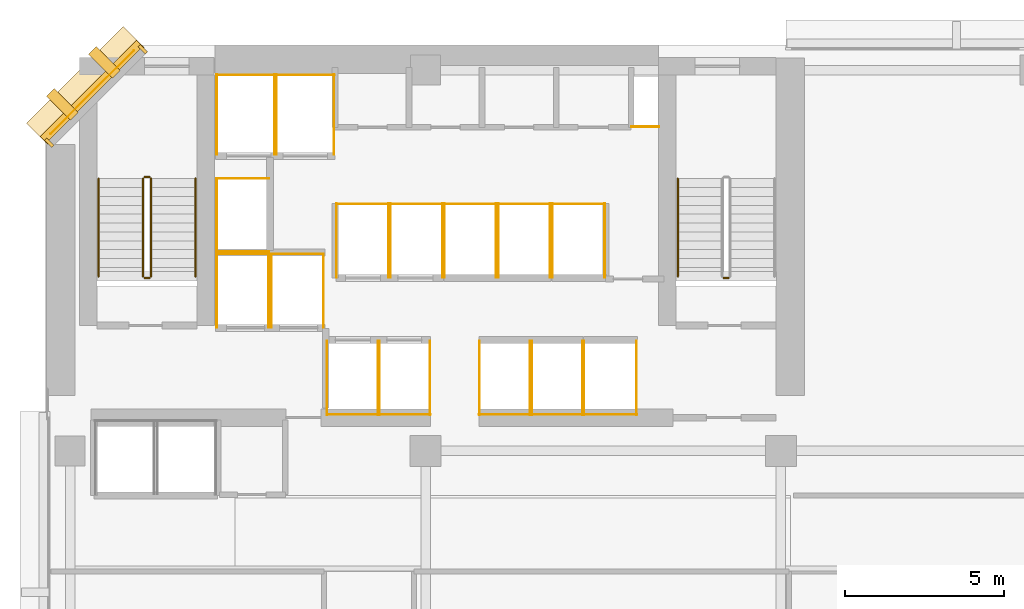
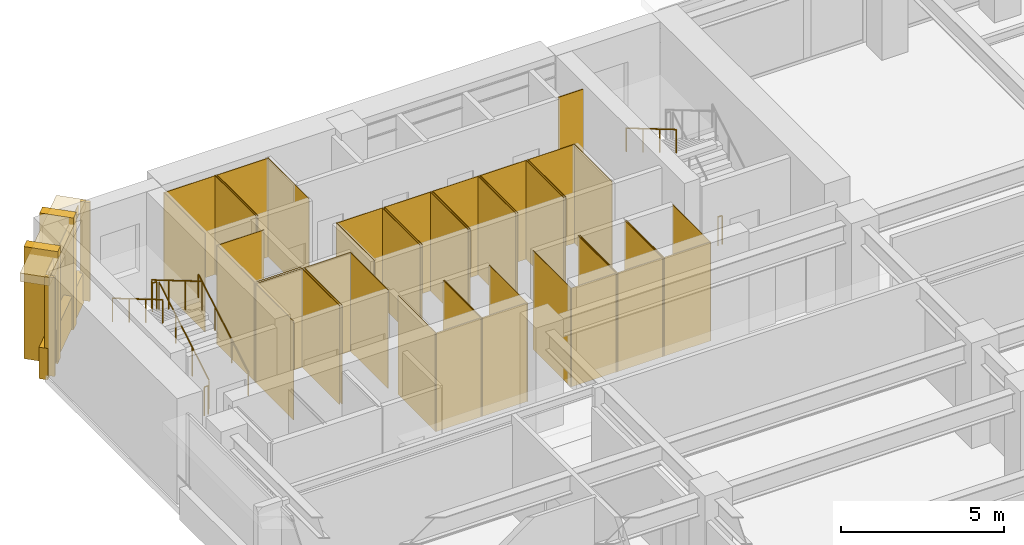
# One storey, part 11 of 13: 53 coverings, 8 railings.
"""IFC4 building model written with IfcOpenShell, lengths in metres."""

import ifcopenshell
import ifcopenshell.guid

model = None  # the IFC model being written
_history = None  # IfcOwnerHistory: only IFC2X3 demands one
_inside = {}  # id of a spatial element -> (the spatial element, [elements in it])
_under = {}  # id of a project, library or spatial element -> (it, [spatial elements below it])
_declared = {}  # id of a project -> (the project, [libraries it declares])
_typed = {}  # id of a type object -> (the type object, [elements of that type])
_made_of = {}  # id of a material, layer set ... -> (it, [elements and type objects made of it])


def new_model(schema):
    """Start an empty IFC model of exactly this schema.

    Asked for "IFC4X3", IfcOpenShell would pick the latest addendum, in which some entities
    have other attributes; the version numbers below select the first issue.
    IFC2X3 requires an IfcOwnerHistory on every rooted entity: one is made here for all.
    """
    global model, _history
    if schema == "IFC4X3":
        model = ifcopenshell.file(schema_version=(4, 3, 0, 0))
    else:
        model = ifcopenshell.file(schema=schema)
    _inside.clear()
    _under.clear()
    _declared.clear()
    _typed.clear()
    _made_of.clear()
    _history = None
    if model.schema == "IFC2X3":
        org = make("IfcOrganization", Name="unknown")
        user = make(
            "IfcPersonAndOrganization",
            ThePerson=make("IfcPerson", FamilyName="unknown"),
            TheOrganization=org,
        )
        app = make(
            "IfcApplication",
            ApplicationDeveloper=org,
            Version="unknown",
            ApplicationFullName="unknown",
            ApplicationIdentifier="unknown",
        )
        _history = make(
            "IfcOwnerHistory",
            OwningUser=user,
            OwningApplication=app,
            ChangeAction="ADDED",
            CreationDate=0,
        )
    return model


def make(cls, **values):
    """One entity of the class cls with the attributes given. An attribute that is None is left unset."""
    return model.create_entity(
        cls, **{name: value for name, value in values.items() if value is not None}
    )


def rooted(cls, **values):
    """An entity with a GlobalId (a new one), such as an element, a storey or a relation."""
    return make(cls, GlobalId=ifcopenshell.guid.new(), OwnerHistory=_history, **values)


def si_unit(unit_type, name, prefix=None):
    """IfcSIUnit, for example si_unit("LENGTHUNIT", "METRE", prefix="MILLI")."""
    return make("IfcSIUnit", UnitType=unit_type, Prefix=prefix, Name=name)


def assignment(units):
    """IfcUnitAssignment: the units of a project."""
    return None if units is None else make("IfcUnitAssignment", Units=units)


def point(xyz):
    """IfcCartesianPoint."""
    return None if xyz is None else make("IfcCartesianPoint", Coordinates=xyz)


def direction(xyz):
    """IfcDirection."""
    return None if xyz is None else make("IfcDirection", DirectionRatios=xyz)


def frame(location, z_axis=None, x_axis=None):
    """IfcAxis2Placement3D, a coordinate frame: its origin and axes. An axis left out is left unset."""
    return make(
        "IfcAxis2Placement3D",
        Location=point(location),
        Axis=direction(z_axis),
        RefDirection=direction(x_axis),
    )


def frame_2d(location, x_axis=None):
    """IfcAxis2Placement2D, a coordinate frame in the plane: its origin and x axis."""
    return make(
        "IfcAxis2Placement2D", Location=point(location), RefDirection=direction(x_axis)
    )


def origin():
    """The frame at (0, 0, 0) with its axes left unset."""
    return frame((0.0, 0.0, 0.0))


def origin_2d():
    """The frame at (0, 0) in the plane with its x axis left unset."""
    return frame_2d((0.0, 0.0))


def place(relative_to, where):
    """IfcLocalPlacement: puts the frame where relative to a parent placement (None: the world)."""
    return make(
        "IfcLocalPlacement", PlacementRelTo=relative_to, RelativePlacement=where
    )


def context(
    kind, dimensions, precision=None, world=None, true_north=None, identifier=None
):
    """IfcGeometricRepresentationContext, for example the 3D "Model" context."""
    return make(
        "IfcGeometricRepresentationContext",
        ContextIdentifier=identifier,
        ContextType=kind,
        CoordinateSpaceDimension=dimensions,
        Precision=precision,
        WorldCoordinateSystem=world,
        TrueNorth=true_north,
    )


def subcontext(parent, identifier, kind, view, scale=None):
    """IfcGeometricRepresentationSubContext, for example "Body" below "Model"."""
    return make(
        "IfcGeometricRepresentationSubContext",
        ContextIdentifier=identifier,
        ContextType=kind,
        ParentContext=parent,
        TargetScale=scale,
        TargetView=view,
    )


def project(units=None, contexts=None):
    """IfcProject with its units and contexts."""
    return rooted(
        "IfcProject",
        Name="project",
        RepresentationContexts=contexts,
        UnitsInContext=assignment(units),
    )


def spatial(cls, under=None, at=None, **own):
    """A site, building, storey or space (cls), placed at a placement, below another one or the project."""
    s = rooted(cls, ObjectPlacement=at, **own)
    if under is not None:
        _under.setdefault(under.id(), (under, []))[1].append(s)
    return s


def polyline(points):
    """IfcPolyline through the points."""
    return make("IfcPolyline", Points=[point(p) for p in points])


def profile(cls, at=None, kind="AREA", **sizes):
    """A parametric profile (cls). Its sizes go by their IFC names, for example OverallWidth=200.0."""
    return make(cls, ProfileType=kind, Position=at, **sizes)


def rectangle(**sizes):
    """IfcRectangleProfileDef."""
    return profile("IfcRectangleProfileDef", **sizes)


def circle(**sizes):
    """IfcCircleProfileDef."""
    return profile("IfcCircleProfileDef", **sizes)


def outline(outer, holes=None, kind="AREA"):
    """IfcArbitraryClosedProfileDef: a profile drawn as a closed curve; with holes, ...WithVoids."""
    if holes is None:
        return make("IfcArbitraryClosedProfileDef", ProfileType=kind, OuterCurve=outer)
    return make(
        "IfcArbitraryProfileDefWithVoids",
        ProfileType=kind,
        OuterCurve=outer,
        InnerCurves=holes,
    )


def extrude(swept, where, along, depth):
    """IfcExtrudedAreaSolid: the profile swept, set in the frame where, extruded along a direction by depth."""
    return make(
        "IfcExtrudedAreaSolid",
        SweptArea=swept,
        Position=where,
        ExtrudedDirection=direction(along),
        Depth=depth,
    )


def shape(context_of_items, identifier, shape_type, items):
    """IfcShapeRepresentation: the items that make up one representation, for example the "Body"."""
    return make(
        "IfcShapeRepresentation",
        ContextOfItems=context_of_items,
        RepresentationIdentifier=identifier,
        RepresentationType=shape_type,
        Items=items,
    )


def material(Name=None, Category=None):
    """IfcMaterial."""
    return make("IfcMaterial", Name=Name, Category=Category)


def layer(
    of_material, thickness, ventilated=None, Name=None, Category=None, Priority=None
):
    """IfcMaterialLayer: one layer of a wall or slab, of a material (None: an air gap)."""
    return make(
        "IfcMaterialLayer",
        Material=of_material,
        LayerThickness=thickness,
        IsVentilated=ventilated,
        Name=Name,
        Category=Category,
        Priority=Priority,
    )


def layer_set(layers, Name=None):
    """IfcMaterialLayerSet."""
    return make("IfcMaterialLayerSet", MaterialLayers=layers, LayerSetName=Name)


def made_of(thing, what):
    """Note that an element or type object is made of a material, layer set ...; save() writes the relation."""
    if what is not None:
        _made_of.setdefault(what.id(), (what, []))[1].append(thing)
    return thing


def type_object(cls, material=None, **own):
    """A type object (cls), such as IfcWallType, which elements share."""
    return made_of(rooted(cls, **own), material)


def element(
    cls,
    number,
    at=None,
    inside=None,
    cuts=None,
    type_object=None,
    material=None,
    context=None,
    identifier="Body",
    shape_type=None,
    held_by="IfcProductDefinitionShape",
    body=None,
    shapes=None,
    **own,
):
    """One element of the class cls, such as IfcWall. Its Tag is "e" and its number.

    at: its placement. inside: the storey or other place that contains it. cuts: it is an
    opening in that element (IfcRelVoidsElement). A single representation is given by context,
    identifier, shape_type and body (its items); several are given by shapes. held_by: the class
    of the entity that holds the representations. save() writes the other relations.
    """
    e = rooted(cls, Tag="e%d" % number, ObjectPlacement=at, **own)
    if body is not None:
        shapes = [shape(context, identifier, shape_type, body)]
    if shapes is not None:
        e.Representation = make(held_by, Representations=shapes)
    if inside is not None:
        _inside.setdefault(inside.id(), (inside, []))[1].append(e)
    if cuts is not None:
        rooted(
            "IfcRelVoidsElement", RelatingBuildingElement=cuts, RelatedOpeningElement=e
        )
    if type_object is not None:
        _typed.setdefault(type_object.id(), (type_object, []))[1].append(e)
    return made_of(e, material)


def aggregate(whole, parts):
    """IfcRelAggregates: a whole, such as a stair, and the parts it consists of."""
    return rooted("IfcRelAggregates", RelatingObject=whole, RelatedObjects=parts)


def save(model, path):
    """Write the relations noted so far, then the file.

    IfcRelAggregates (storeys below a building ...), IfcRelContainedInSpatialStructure (elements
    in a storey), IfcRelDefinesByType, IfcRelAssociatesMaterial and IfcRelDeclares: one each for
    every whole, place, type object, material and project.
    """
    for whole, parts in _under.values():
        aggregate(whole, parts)
    for where, things in _inside.values():
        rooted(
            "IfcRelContainedInSpatialStructure",
            RelatedElements=things,
            RelatingStructure=where,
        )
    for kind, things in _typed.values():
        rooted("IfcRelDefinesByType", RelatedObjects=things, RelatingType=kind)
    for what, things in _made_of.values():
        rooted("IfcRelAssociatesMaterial", RelatedObjects=things, RelatingMaterial=what)
    for by, libraries in _declared.values():
        rooted("IfcRelDeclares", RelatingContext=by, RelatedDefinitions=libraries)
    model.write(path)


model = new_model("IFC4")

# Units and contexts
model_context = context("Model", 3, precision=1e-05, world=origin(), true_north=direction((0.0, 1.0)))
body_context = subcontext(model_context, "Body", "Model", "MODEL_VIEW")
ifc_project = project(units=[si_unit("LENGTHUNIT", "METRE"), si_unit("AREAUNIT", "SQUARE_METRE"), si_unit("VOLUMEUNIT", "CUBIC_METRE"), si_unit("PLANEANGLEUNIT", "RADIAN"), si_unit("MASSUNIT", "GRAM", prefix="KILO")], contexts=[model_context])

# Site, building, storey
site_placement = place(None, origin())
site = spatial("IfcSite", under=ifc_project, at=site_placement, CompositionType="ELEMENT")
building_placement = place(site_placement, origin())
building = spatial("IfcBuilding", under=site, at=building_placement, Name="Kefirva Bronze Tower", CompositionType="ELEMENT")
storey_placement = place(building_placement, frame((0.0, 0.0, 102.6298828125)))
storey = spatial("IfcBuildingStorey", under=building, at=storey_placement, Name="L24", CompositionType="ELEMENT", Elevation=102.6298828125)

# Coverings
ifc_material_1 = material(Name="Bronze anodised aluminium", Category="aluminium")
ifc_layer_1 = layer(ifc_material_1, 0.02001953125, Name="Bronze anodised aluminium")
ifc_layer_set_1 = layer_set([ifc_layer_1], Name="Bronze anodised aluminium")
covering_type_1 = type_object("IfcCoveringType", Name="Anodised Bronze Spandrel Cladding 20mm", PredefinedType="CLADDING", material=ifc_layer_set_1)
covering_1_placement = place(storey_placement, frame((1.492919921875, 44.507080078125, 3.290283203125), z_axis=(0.0, 0.0, 1.0), x_axis=(-0.707106781187, -0.707106781187, 0.0)))
element("IfcCovering", 1, at=covering_1_placement, inside=storey, type_object=covering_type_1, Name="L24 Bronze Spandrel Cladding 9", PredefinedType="CLADDING", context=body_context, shape_type="SweptSolid", body=[
    extrude(rectangle(XDim=3.719482421875, YDim=0.02001953125, at=origin_2d()), origin(), (0.0, 0.0, 1.0), 0.39990234375),
])
for number, where, z_axis, x_axis, name in (
    (2, (3.08837890625, 45.862060546875, 0.000244140625), (0.0, 0.0, 1.0), (-0.707106781187, -0.707106781187, 0.0), "L24 Facade Joint Closure Panel 9S"),
    (3, (0.137939453125, 42.91162109375, 0.000244140625), (0.0, 0.0, 1.0), (-0.707106781187, -0.707106781187, 0.0), "L24 Facade Joint Closure Panel 9E"),
):
    element("IfcCovering", number, at=place(storey_placement, frame(where, z_axis=z_axis, x_axis=x_axis)), inside=storey, type_object=covering_type_1, Name=name, PredefinedType="CLADDING", context=body_context, shape_type="SweptSolid", body=[
        extrude(rectangle(XDim=0.10009765625, YDim=0.320068359375, at=origin_2d()), origin(), (0.0, 0.0, 1.0), 3.7099609375),
    ])
covering_2_placement = place(storey_placement, frame((1.4716796875, 44.5283203125, -0.15966796875), z_axis=(0.0, 0.0, 1.0), x_axis=(-0.707106781187, -0.707106781187, 0.0)))
element("IfcCovering", 4, at=covering_2_placement, inside=storey, type_object=covering_type_1, Name="L24 Streamline Horizontal Spandrel Band 13", PredefinedType="CLADDING", context=body_context, shape_type="SweptSolid", body=[
    extrude(rectangle(XDim=4.28271484375, YDim=0.280029296875, at=origin_2d()), origin(), (0.0, 0.0, 1.0), 1.179931640625),
])
covering_3_placement = place(storey_placement, origin())
element("IfcCovering", 5, at=covering_3_placement, inside=storey, type_object=covering_type_1, Name="L24 Lift FF1 Hoistway Liner N", PredefinedType="CLADDING", context=body_context, shape_type="SweptSolid", body=[
    extrude(outline(polyline([(5.39990234375, 39.389892578125), (7.080078125, 39.389892578125), (7.080078125, 39.409912109375), (5.39990234375, 39.409912109375), (5.39990234375, 39.389892578125)])), origin(), (0.0, 0.0, 1.0), 3.710205078125),
])
covering_4_placement = place(storey_placement, origin())
element("IfcCovering", 6, at=covering_4_placement, inside=storey, type_object=covering_type_1, Name="L24 Lift FF1 Hoistway Liner W", PredefinedType="CLADDING", context=body_context, shape_type="SweptSolid", body=[
    extrude(outline(polyline([(5.409912109375, 37.080078125), (5.429931640625, 37.080078125), (5.429931640625, 39.419921875), (5.409912109375, 39.419921875), (5.409912109375, 37.080078125)])), origin(), (0.0, 0.0, 1.0), 3.710205078125),
])
covering_5_placement = place(storey_placement, origin())
element("IfcCovering", 7, at=covering_5_placement, inside=storey, type_object=covering_type_1, Name="L24 Lift FF1 Hoistway Liner E", PredefinedType="CLADDING", context=body_context, shape_type="SweptSolid", body=[
    extrude(outline(polyline([(7.050048828125, 37.080078125), (7.070068359375, 37.080078125), (7.070068359375, 39.419921875), (7.050048828125, 39.419921875), (7.050048828125, 37.080078125)])), origin(), (0.0, 0.0, 1.0), 3.710205078125),
])
covering_6_placement = place(storey_placement, origin())
element("IfcCovering", 8, at=covering_6_placement, inside=storey, type_object=covering_type_1, Name="L24 Lift FF2 Hoistway Liner N", PredefinedType="CLADDING", context=body_context, shape_type="SweptSolid", body=[
    extrude(outline(polyline([(7.1201171875, 39.389892578125), (8.800048828125, 39.389892578125), (8.800048828125, 39.409912109375), (7.1201171875, 39.409912109375), (7.1201171875, 39.389892578125)])), origin(), (0.0, 0.0, 1.0), 3.710205078125),
])
covering_7_placement = place(storey_placement, origin())
element("IfcCovering", 9, at=covering_7_placement, inside=storey, type_object=covering_type_1, Name="L24 Lift FF2 Hoistway Liner W", PredefinedType="CLADDING", context=body_context, shape_type="SweptSolid", body=[
    extrude(outline(polyline([(7.1298828125, 37.080078125), (7.14990234375, 37.080078125), (7.14990234375, 39.419921875), (7.1298828125, 39.419921875), (7.1298828125, 37.080078125)])), origin(), (0.0, 0.0, 1.0), 3.710205078125),
])
covering_8_placement = place(storey_placement, origin())
element("IfcCovering", 10, at=covering_8_placement, inside=storey, type_object=covering_type_1, Name="L24 Lift FF2 Hoistway Liner E", PredefinedType="CLADDING", context=body_context, shape_type="SweptSolid", body=[
    extrude(outline(polyline([(8.77001953125, 37.080078125), (8.7900390625, 37.080078125), (8.7900390625, 39.419921875), (8.77001953125, 39.419921875), (8.77001953125, 37.080078125)])), origin(), (0.0, 0.0, 1.0), 3.710205078125),
])
covering_9_placement = place(storey_placement, origin())
element("IfcCovering", 11, at=covering_9_placement, inside=storey, type_object=covering_type_1, Name="L24 Lift SV1 Hoistway Liner N", PredefinedType="CLADDING", context=body_context, shape_type="SweptSolid", body=[
    extrude(outline(polyline([(5.39990234375, 45.0400390625), (7.260009765625, 45.0400390625), (7.260009765625, 45.06005859375), (5.39990234375, 45.06005859375), (5.39990234375, 45.0400390625)])), origin(), (0.0, 0.0, 1.0), 3.710205078125),
])
covering_10_placement = place(storey_placement, origin())
element("IfcCovering", 12, at=covering_10_placement, inside=storey, type_object=covering_type_1, Name="L24 Lift SV1 Hoistway Liner W", PredefinedType="CLADDING", context=body_context, shape_type="SweptSolid", body=[
    extrude(outline(polyline([(5.409912109375, 42.530029296875), (5.429931640625, 42.530029296875), (5.429931640625, 45.070068359375), (5.409912109375, 45.070068359375), (5.409912109375, 42.530029296875)])), origin(), (0.0, 0.0, 1.0), 3.710205078125),
])
covering_11_placement = place(storey_placement, origin())
element("IfcCovering", 13, at=covering_11_placement, inside=storey, type_object=covering_type_1, Name="L24 Lift SV1 Hoistway Liner E", PredefinedType="CLADDING", context=body_context, shape_type="SweptSolid", body=[
    extrude(outline(polyline([(7.22998046875, 42.530029296875), (7.25, 42.530029296875), (7.25, 45.070068359375), (7.22998046875, 45.070068359375), (7.22998046875, 42.530029296875)])), origin(), (0.0, 0.0, 1.0), 3.710205078125),
])
covering_12_placement = place(storey_placement, origin())
element("IfcCovering", 14, at=covering_12_placement, inside=storey, type_object=covering_type_1, Name="L24 Lift SV2 Hoistway Liner N", PredefinedType="CLADDING", context=body_context, shape_type="SweptSolid", body=[
    extrude(outline(polyline([(7.280029296875, 45.0400390625), (9.139892578125, 45.0400390625), (9.139892578125, 45.06005859375), (7.280029296875, 45.06005859375), (7.280029296875, 45.0400390625)])), origin(), (0.0, 0.0, 1.0), 3.710205078125),
])
covering_13_placement = place(storey_placement, origin())
element("IfcCovering", 15, at=covering_13_placement, inside=storey, type_object=covering_type_1, Name="L24 Lift SV2 Hoistway Liner W", PredefinedType="CLADDING", context=body_context, shape_type="SweptSolid", body=[
    extrude(outline(polyline([(7.2900390625, 42.530029296875), (7.31005859375, 42.530029296875), (7.31005859375, 45.070068359375), (7.2900390625, 45.070068359375), (7.2900390625, 42.530029296875)])), origin(), (0.0, 0.0, 1.0), 3.710205078125),
])
covering_14_placement = place(storey_placement, origin())
element("IfcCovering", 16, at=covering_14_placement, inside=storey, type_object=covering_type_1, Name="L24 Lift SV2 Hoistway Liner E", PredefinedType="CLADDING", context=body_context, shape_type="SweptSolid", body=[
    extrude(outline(polyline([(9.110107421875, 42.530029296875), (9.1298828125, 42.530029296875), (9.1298828125, 45.070068359375), (9.110107421875, 45.070068359375), (9.110107421875, 42.530029296875)])), origin(), (0.0, 0.0, 1.0), 3.710205078125),
])
covering_15_placement = place(storey_placement, origin())
element("IfcCovering", 17, at=covering_15_placement, inside=storey, type_object=covering_type_1, Name="L24 Lift LP1 Hoistway Liner S", PredefinedType="CLADDING", context=body_context, shape_type="SweptSolid", body=[
    extrude(outline(polyline([(8.8798828125, 34.340087890625), (10.52001953125, 34.340087890625), (10.52001953125, 34.360107421875), (8.8798828125, 34.360107421875), (8.8798828125, 34.340087890625)])), origin(), (0.0, 0.0, 1.0), 3.710205078125),
])
covering_16_placement = place(storey_placement, origin())
element("IfcCovering", 18, at=covering_16_placement, inside=storey, type_object=covering_type_1, Name="L24 Lift LP1 Hoistway Liner W", PredefinedType="CLADDING", context=body_context, shape_type="SweptSolid", body=[
    extrude(outline(polyline([(8.889892578125, 34.330078125), (8.909912109375, 34.330078125), (8.909912109375, 36.669921875), (8.889892578125, 36.669921875), (8.889892578125, 34.330078125)])), origin(), (0.0, 0.0, 1.0), 3.710205078125),
])
covering_17_placement = place(storey_placement, origin())
element("IfcCovering", 19, at=covering_17_placement, inside=storey, type_object=covering_type_1, Name="L24 Lift LP1 Hoistway Liner E", PredefinedType="CLADDING", context=body_context, shape_type="SweptSolid", body=[
    extrude(outline(polyline([(10.489990234375, 34.330078125), (10.510009765625, 34.330078125), (10.510009765625, 36.669921875), (10.489990234375, 36.669921875), (10.489990234375, 34.330078125)])), origin(), (0.0, 0.0, 1.0), 3.710205078125),
])
covering_18_placement = place(storey_placement, origin())
element("IfcCovering", 20, at=covering_18_placement, inside=storey, type_object=covering_type_1, Name="L24 Lift LP2 Hoistway Liner S", PredefinedType="CLADDING", context=body_context, shape_type="SweptSolid", body=[
    extrude(outline(polyline([(10.52001953125, 34.340087890625), (12.159912109375, 34.340087890625), (12.159912109375, 34.360107421875), (10.52001953125, 34.360107421875), (10.52001953125, 34.340087890625)])), origin(), (0.0, 0.0, 1.0), 3.710205078125),
])
covering_19_placement = place(storey_placement, origin())
element("IfcCovering", 21, at=covering_19_placement, inside=storey, type_object=covering_type_1, Name="L24 Lift LP2 Hoistway Liner W", PredefinedType="CLADDING", context=body_context, shape_type="SweptSolid", body=[
    extrude(outline(polyline([(10.530029296875, 34.330078125), (10.550048828125, 34.330078125), (10.550048828125, 36.669921875), (10.530029296875, 36.669921875), (10.530029296875, 34.330078125)])), origin(), (0.0, 0.0, 1.0), 3.710205078125),
])
covering_20_placement = place(storey_placement, origin())
element("IfcCovering", 22, at=covering_20_placement, inside=storey, type_object=covering_type_1, Name="L24 Lift LP2 Hoistway Liner E", PredefinedType="CLADDING", context=body_context, shape_type="SweptSolid", body=[
    extrude(outline(polyline([(12.1298828125, 34.330078125), (12.14990234375, 34.330078125), (12.14990234375, 36.669921875), (12.1298828125, 36.669921875), (12.1298828125, 34.330078125)])), origin(), (0.0, 0.0, 1.0), 3.710205078125),
])
covering_21_placement = place(storey_placement, origin())
element("IfcCovering", 23, at=covering_21_placement, inside=storey, type_object=covering_type_1, Name="L24 Lift LP3 Hoistway Liner N", PredefinedType="CLADDING", context=body_context, shape_type="SweptSolid", body=[
    extrude(outline(polyline([(9.179931640625, 40.969970703125), (10.85009765625, 40.969970703125), (10.85009765625, 40.989990234375), (9.179931640625, 40.989990234375), (9.179931640625, 40.969970703125)])), origin(), (0.0, 0.0, 1.0), 3.710205078125),
])
covering_22_placement = place(storey_placement, origin())
element("IfcCovering", 24, at=covering_22_placement, inside=storey, type_object=covering_type_1, Name="L24 Lift LP3 Hoistway Liner W", PredefinedType="CLADDING", context=body_context, shape_type="SweptSolid", body=[
    extrude(outline(polyline([(9.18994140625, 38.659912109375), (9.2099609375, 38.659912109375), (9.2099609375, 41.0), (9.18994140625, 41.0), (9.18994140625, 38.659912109375)])), origin(), (0.0, 0.0, 1.0), 3.710205078125),
])
covering_23_placement = place(storey_placement, origin())
element("IfcCovering", 25, at=covering_23_placement, inside=storey, type_object=covering_type_1, Name="L24 Lift LP3 Hoistway Liner E", PredefinedType="CLADDING", context=body_context, shape_type="SweptSolid", body=[
    extrude(outline(polyline([(10.820068359375, 38.659912109375), (10.840087890625, 38.659912109375), (10.840087890625, 41.0), (10.820068359375, 41.0), (10.820068359375, 38.659912109375)])), origin(), (0.0, 0.0, 1.0), 3.710205078125),
])
covering_24_placement = place(storey_placement, origin())
element("IfcCovering", 26, at=covering_24_placement, inside=storey, type_object=covering_type_1, Name="L24 Lift LP4 Hoistway Liner N", PredefinedType="CLADDING", context=body_context, shape_type="SweptSolid", body=[
    extrude(outline(polyline([(10.8798828125, 40.969970703125), (12.550048828125, 40.969970703125), (12.550048828125, 40.989990234375), (10.8798828125, 40.989990234375), (10.8798828125, 40.969970703125)])), origin(), (0.0, 0.0, 1.0), 3.710205078125),
])
covering_25_placement = place(storey_placement, origin())
element("IfcCovering", 27, at=covering_25_placement, inside=storey, type_object=covering_type_1, Name="L24 Lift LP4 Hoistway Liner W", PredefinedType="CLADDING", context=body_context, shape_type="SweptSolid", body=[
    extrude(outline(polyline([(10.889892578125, 38.659912109375), (10.909912109375, 38.659912109375), (10.909912109375, 41.0), (10.889892578125, 41.0), (10.889892578125, 38.659912109375)])), origin(), (0.0, 0.0, 1.0), 3.710205078125),
])
covering_26_placement = place(storey_placement, origin())
element("IfcCovering", 28, at=covering_26_placement, inside=storey, type_object=covering_type_1, Name="L24 Lift LP4 Hoistway Liner E", PredefinedType="CLADDING", context=body_context, shape_type="SweptSolid", body=[
    extrude(outline(polyline([(12.52001953125, 38.659912109375), (12.5400390625, 38.659912109375), (12.5400390625, 41.0), (12.52001953125, 41.0), (12.52001953125, 38.659912109375)])), origin(), (0.0, 0.0, 1.0), 3.710205078125),
])
covering_27_placement = place(storey_placement, origin())
element("IfcCovering", 29, at=covering_27_placement, inside=storey, type_object=covering_type_1, Name="L24 Lift MP1 Hoistway Liner S", PredefinedType="CLADDING", context=body_context, shape_type="SweptSolid", body=[
    extrude(outline(polyline([(13.679931640625, 34.340087890625), (15.320068359375, 34.340087890625), (15.320068359375, 34.360107421875), (13.679931640625, 34.360107421875), (13.679931640625, 34.340087890625)])), origin(), (0.0, 0.0, 1.0), 3.710205078125),
])
covering_28_placement = place(storey_placement, origin())
element("IfcCovering", 30, at=covering_28_placement, inside=storey, type_object=covering_type_1, Name="L24 Lift MP1 Hoistway Liner W", PredefinedType="CLADDING", context=body_context, shape_type="SweptSolid", body=[
    extrude(outline(polyline([(13.68994140625, 34.330078125), (13.7099609375, 34.330078125), (13.7099609375, 36.669921875), (13.68994140625, 36.669921875), (13.68994140625, 34.330078125)])), origin(), (0.0, 0.0, 1.0), 3.710205078125),
])
covering_29_placement = place(storey_placement, origin())
element("IfcCovering", 31, at=covering_29_placement, inside=storey, type_object=covering_type_1, Name="L24 Lift MP1 Hoistway Liner E", PredefinedType="CLADDING", context=body_context, shape_type="SweptSolid", body=[
    extrude(outline(polyline([(15.2900390625, 34.330078125), (15.31005859375, 34.330078125), (15.31005859375, 36.669921875), (15.2900390625, 36.669921875), (15.2900390625, 34.330078125)])), origin(), (0.0, 0.0, 1.0), 3.710205078125),
])
covering_30_placement = place(storey_placement, origin())
element("IfcCovering", 32, at=covering_30_placement, inside=storey, type_object=covering_type_1, Name="L24 Lift MP2 Hoistway Liner S", PredefinedType="CLADDING", context=body_context, shape_type="SweptSolid", body=[
    extrude(outline(polyline([(15.330078125, 34.340087890625), (16.969970703125, 34.340087890625), (16.969970703125, 34.360107421875), (15.330078125, 34.360107421875), (15.330078125, 34.340087890625)])), origin(), (0.0, 0.0, 1.0), 3.710205078125),
])
covering_31_placement = place(storey_placement, origin())
element("IfcCovering", 33, at=covering_31_placement, inside=storey, type_object=covering_type_1, Name="L24 Lift MP2 Hoistway Liner W", PredefinedType="CLADDING", context=body_context, shape_type="SweptSolid", body=[
    extrude(outline(polyline([(15.340087890625, 34.330078125), (15.360107421875, 34.330078125), (15.360107421875, 36.669921875), (15.340087890625, 36.669921875), (15.340087890625, 34.330078125)])), origin(), (0.0, 0.0, 1.0), 3.710205078125),
])
covering_32_placement = place(storey_placement, origin())
element("IfcCovering", 34, at=covering_32_placement, inside=storey, type_object=covering_type_1, Name="L24 Lift MP2 Hoistway Liner E", PredefinedType="CLADDING", context=body_context, shape_type="SweptSolid", body=[
    extrude(outline(polyline([(16.93994140625, 34.330078125), (16.9599609375, 34.330078125), (16.9599609375, 36.669921875), (16.93994140625, 36.669921875), (16.93994140625, 34.330078125)])), origin(), (0.0, 0.0, 1.0), 3.710205078125),
])
covering_33_placement = place(storey_placement, origin())
element("IfcCovering", 35, at=covering_33_placement, inside=storey, type_object=covering_type_1, Name="L24 Lift MP3 Hoistway Liner N", PredefinedType="CLADDING", context=body_context, shape_type="SweptSolid", body=[
    extrude(outline(polyline([(12.580078125, 40.969970703125), (14.25, 40.969970703125), (14.25, 40.989990234375), (12.580078125, 40.989990234375), (12.580078125, 40.969970703125)])), origin(), (0.0, 0.0, 1.0), 3.710205078125),
])
covering_34_placement = place(storey_placement, origin())
element("IfcCovering", 36, at=covering_34_placement, inside=storey, type_object=covering_type_1, Name="L24 Lift MP3 Hoistway Liner W", PredefinedType="CLADDING", context=body_context, shape_type="SweptSolid", body=[
    extrude(outline(polyline([(12.590087890625, 38.659912109375), (12.610107421875, 38.659912109375), (12.610107421875, 41.0), (12.590087890625, 41.0), (12.590087890625, 38.659912109375)])), origin(), (0.0, 0.0, 1.0), 3.710205078125),
])
covering_35_placement = place(storey_placement, origin())
element("IfcCovering", 37, at=covering_35_placement, inside=storey, type_object=covering_type_1, Name="L24 Lift MP3 Hoistway Liner E", PredefinedType="CLADDING", context=body_context, shape_type="SweptSolid", body=[
    extrude(outline(polyline([(14.219970703125, 38.659912109375), (14.239990234375, 38.659912109375), (14.239990234375, 41.0), (14.219970703125, 41.0), (14.219970703125, 38.659912109375)])), origin(), (0.0, 0.0, 1.0), 3.710205078125),
])
covering_36_placement = place(storey_placement, origin())
element("IfcCovering", 38, at=covering_36_placement, inside=storey, type_object=covering_type_1, Name="L24 Lift MP4 Hoistway Liner N", PredefinedType="CLADDING", context=body_context, shape_type="SweptSolid", body=[
    extrude(outline(polyline([(14.280029296875, 40.969970703125), (15.949951171875, 40.969970703125), (15.949951171875, 40.989990234375), (14.280029296875, 40.989990234375), (14.280029296875, 40.969970703125)])), origin(), (0.0, 0.0, 1.0), 3.710205078125),
])
covering_37_placement = place(storey_placement, origin())
element("IfcCovering", 39, at=covering_37_placement, inside=storey, type_object=covering_type_1, Name="L24 Lift MP4 Hoistway Liner W", PredefinedType="CLADDING", context=body_context, shape_type="SweptSolid", body=[
    extrude(outline(polyline([(14.2900390625, 38.659912109375), (14.31005859375, 38.659912109375), (14.31005859375, 41.0), (14.2900390625, 41.0), (14.2900390625, 38.659912109375)])), origin(), (0.0, 0.0, 1.0), 3.710205078125),
])
covering_38_placement = place(storey_placement, origin())
element("IfcCovering", 40, at=covering_38_placement, inside=storey, type_object=covering_type_1, Name="L24 Lift MP4 Hoistway Liner E", PredefinedType="CLADDING", context=body_context, shape_type="SweptSolid", body=[
    extrude(outline(polyline([(15.919921875, 38.659912109375), (15.93994140625, 38.659912109375), (15.93994140625, 41.0), (15.919921875, 41.0), (15.919921875, 38.659912109375)])), origin(), (0.0, 0.0, 1.0), 3.710205078125),
])
covering_39_placement = place(storey_placement, origin())
element("IfcCovering", 41, at=covering_39_placement, inside=storey, type_object=covering_type_1, Name="L24 Lift HP1 Hoistway Liner S", PredefinedType="CLADDING", context=body_context, shape_type="SweptSolid", body=[
    extrude(outline(polyline([(16.97998046875, 34.340087890625), (18.669921875, 34.340087890625), (18.669921875, 34.360107421875), (16.97998046875, 34.360107421875), (16.97998046875, 34.340087890625)])), origin(), (0.0, 0.0, 1.0), 3.710205078125),
])
covering_40_placement = place(storey_placement, origin())
element("IfcCovering", 42, at=covering_40_placement, inside=storey, type_object=covering_type_1, Name="L24 Lift HP1 Hoistway Liner W", PredefinedType="CLADDING", context=body_context, shape_type="SweptSolid", body=[
    extrude(outline(polyline([(16.989990234375, 34.330078125), (17.010009765625, 34.330078125), (17.010009765625, 36.669921875), (16.989990234375, 36.669921875), (16.989990234375, 34.330078125)])), origin(), (0.0, 0.0, 1.0), 3.710205078125),
])
covering_41_placement = place(storey_placement, origin())
element("IfcCovering", 43, at=covering_41_placement, inside=storey, type_object=covering_type_1, Name="L24 Lift HP1 Hoistway Liner E", PredefinedType="CLADDING", context=body_context, shape_type="SweptSolid", body=[
    extrude(outline(polyline([(18.639892578125, 34.330078125), (18.659912109375, 34.330078125), (18.659912109375, 36.669921875), (18.639892578125, 36.669921875), (18.639892578125, 34.330078125)])), origin(), (0.0, 0.0, 1.0), 3.710205078125),
])
covering_42_placement = place(storey_placement, origin())
element("IfcCovering", 44, at=covering_42_placement, inside=storey, type_object=covering_type_1, Name="L24 Lift HP2 Hoistway Liner N", PredefinedType="CLADDING", context=body_context, shape_type="SweptSolid", body=[
    extrude(outline(polyline([(15.97998046875, 40.969970703125), (17.669921875, 40.969970703125), (17.669921875, 40.989990234375), (15.97998046875, 40.989990234375), (15.97998046875, 40.969970703125)])), origin(), (0.0, 0.0, 1.0), 3.710205078125),
])
covering_43_placement = place(storey_placement, origin())
element("IfcCovering", 45, at=covering_43_placement, inside=storey, type_object=covering_type_1, Name="L24 Lift HP2 Hoistway Liner W", PredefinedType="CLADDING", context=body_context, shape_type="SweptSolid", body=[
    extrude(outline(polyline([(15.989990234375, 38.659912109375), (16.010009765625, 38.659912109375), (16.010009765625, 41.0), (15.989990234375, 41.0), (15.989990234375, 38.659912109375)])), origin(), (0.0, 0.0, 1.0), 3.710205078125),
])
covering_44_placement = place(storey_placement, origin())
element("IfcCovering", 46, at=covering_44_placement, inside=storey, type_object=covering_type_1, Name="L24 Lift HP2 Hoistway Liner E", PredefinedType="CLADDING", context=body_context, shape_type="SweptSolid", body=[
    extrude(outline(polyline([(17.639892578125, 38.659912109375), (17.659912109375, 38.659912109375), (17.659912109375, 41.0), (17.639892578125, 41.0), (17.639892578125, 38.659912109375)])), origin(), (0.0, 0.0, 1.0), 3.710205078125),
])
covering_45_placement = place(storey_placement, origin())
element("IfcCovering", 47, at=covering_45_placement, inside=storey, type_object=covering_type_1, Name="L24 Lift HP3 Hoistway Liner N", PredefinedType="CLADDING", context=body_context, shape_type="SweptSolid", body=[
    extrude(outline(polyline([(5.39990234375, 41.77001953125), (7.080078125, 41.77001953125), (7.080078125, 41.7900390625), (5.39990234375, 41.7900390625), (5.39990234375, 41.77001953125)])), origin(), (0.0, 0.0, 1.0), 3.710205078125),
])
covering_46_placement = place(storey_placement, origin())
element("IfcCovering", 48, at=covering_46_placement, inside=storey, type_object=covering_type_1, Name="L24 Lift HP3 Hoistway Liner S", PredefinedType="CLADDING", context=body_context, shape_type="SweptSolid", body=[
    extrude(outline(polyline([(5.39990234375, 39.469970703125), (7.080078125, 39.469970703125), (7.080078125, 39.489990234375), (5.39990234375, 39.489990234375), (5.39990234375, 39.469970703125)])), origin(), (0.0, 0.0, 1.0), 3.710205078125),
])
covering_47_placement = place(storey_placement, origin())
element("IfcCovering", 49, at=covering_47_placement, inside=storey, type_object=covering_type_1, Name="L24 Lift HP3 Hoistway Liner W", PredefinedType="CLADDING", context=body_context, shape_type="SweptSolid", body=[
    extrude(outline(polyline([(5.409912109375, 39.4599609375), (5.429931640625, 39.4599609375), (5.429931640625, 41.800048828125), (5.409912109375, 41.800048828125), (5.409912109375, 39.4599609375)])), origin(), (0.0, 0.0, 1.0), 3.710205078125),
])
covering_48_placement = place(storey_placement, origin())
element("IfcCovering", 50, at=covering_48_placement, inside=storey, type_object=covering_type_1, Name="L24 Core MEP Riser Shaft Liner South", PredefinedType="CLADDING", context=body_context, shape_type="SweptSolid", body=[
    extrude(outline(polyline([(18.47998046875, 43.39990234375), (19.360107421875, 43.39990234375), (19.360107421875, 43.429931640625), (18.47998046875, 43.429931640625), (18.47998046875, 43.39990234375)])), origin(), (0.0, 0.0, 1.0), 3.710205078125),
])

# Railings
ifc_material_2 = material(Name="Stainless steel 316", Category="steel")
railing_type_1 = type_object("IfcRailingType", Name="Interior Stair Guardrail 1100mm", PredefinedType="GUARDRAIL", material=ifc_material_2)
railing_1_placement = place(storey_placement, frame((3.35009765625, 38.699951171875, 0.1650390625)))
element("IfcRailing", 51, at=railing_1_placement, inside=storey, type_object=railing_type_1, Name="L24 ST-1 stair guard 1", PredefinedType="GUARDRAIL", context=body_context, shape_type="SweptSolid", body=[
    extrude(circle(Radius=0.02392578125, at=origin_2d()), frame((0.0, 0.0, 1.076171875), z_axis=(0.0, 0.861521393093, 0.507721271215), x_axis=(-1.0, 0.0, 0.0)), (0.0, 0.0, 1.0), 3.5751953125),
    extrude(circle(Radius=0.02099609375, at=origin_2d()), origin(), (0.0, 0.0, 1.0), 1.052001953125),
    extrude(circle(Radius=0.02099609375, at=origin_2d()), frame((0.0, 1.026611328125, 0.60498046875)), (0.0, 0.0, 1.0), 1.052001953125),
    extrude(circle(Radius=0.02099609375, at=origin_2d()), frame((0.0, 2.053466796875, 1.210205078125)), (0.0, 0.0, 1.0), 1.052001953125),
    extrude(circle(Radius=0.02099609375, at=origin_2d()), frame((0.0, 3.080078125, 1.815185546875)), (0.0, 0.0, 1.0), 1.052001953125),
])
railing_2_placement = place(storey_placement, frame((3.300048828125, 41.830078125, 1.980224609375)))
element("IfcRailing", 52, at=railing_2_placement, inside=storey, type_object=railing_type_1, Name="L24 ST-1 stair guard 2", PredefinedType="GUARDRAIL", context=body_context, shape_type="SweptSolid", body=[
    extrude(circle(Radius=0.02392578125, at=origin_2d()), frame((0.0, 0.0, 1.076171875), z_axis=(-1.0, 0.0, 0.0), x_axis=(0.0, -1.0, 0.0)), (0.0, 0.0, 1.0), 0.150146484375),
    extrude(circle(Radius=0.02099609375, at=origin_2d()), origin(), (0.0, 0.0, 1.0), 1.052001953125),
    extrude(circle(Radius=0.02099609375, at=origin_2d()), frame((-0.150146484375, 0.0, 0.0)), (0.0, 0.0, 1.0), 1.052001953125),
])
railing_3_placement = place(storey_placement, frame((3.10009765625, 41.780029296875, 2.14501953125)))
element("IfcRailing", 53, at=railing_3_placement, inside=storey, type_object=railing_type_1, Name="L24 ST-1 stair guard 3", PredefinedType="GUARDRAIL", context=body_context, shape_type="SweptSolid", body=[
    extrude(circle(Radius=0.02392578125, at=origin_2d()), frame((0.0, 0.0, 1.076171875), z_axis=(0.0, -0.861521393093, 0.507721271215), x_axis=(1.0, 0.0, 0.0)), (0.0, 0.0, 1.0), 3.5751953125),
    extrude(circle(Radius=0.02099609375, at=origin_2d()), origin(), (0.0, 0.0, 1.0), 1.052001953125),
    extrude(circle(Radius=0.02099609375, at=origin_2d()), frame((0.0, -1.026611328125, 0.60498046875)), (0.0, 0.0, 1.0), 1.052001953125),
    extrude(circle(Radius=0.02099609375, at=origin_2d()), frame((0.0, -2.053466796875, 1.210205078125)), (0.0, 0.0, 1.0), 1.052001953125),
    extrude(circle(Radius=0.02099609375, at=origin_2d()), frame((0.0, -3.080078125, 1.815185546875)), (0.0, 0.0, 1.0), 1.052001953125),
])
for number, where, name in (
    (54, (3.300048828125, 38.64990234375, 0.0), "L24 ST-1 stair guard 4"),
    (55, (21.550048828125, 38.64990234375, 0.0), "L24 ST-2 stair guard 4"),
):
    element("IfcRailing", number, at=place(storey_placement, frame(where)), inside=storey, type_object=railing_type_1, Name=name, PredefinedType="GUARDRAIL", context=body_context, shape_type="SweptSolid", body=[
        extrude(circle(Radius=0.02392578125, at=origin_2d()), frame((0.0, 0.0, 1.076171875), z_axis=(-1.0, 0.0, 0.0), x_axis=(0.0, -1.0, 0.0)), (0.0, 0.0, 1.0), 0.150146484375),
        extrude(circle(Radius=0.02099609375, at=origin_2d()), origin(), (0.0, 0.0, 1.0), 1.052001953125),
        extrude(circle(Radius=0.02099609375, at=origin_2d()), frame((-0.150146484375, 0.0, 0.0)), (0.0, 0.0, 1.0), 1.052001953125),
    ])
railing_type_2 = type_object("IfcRailingType", Name="Stair Pitch Handrail 900mm", PredefinedType="HANDRAIL", material=ifc_material_2)
railing_4_placement = place(storey_placement, frame((4.75, 38.699951171875, 0.1650390625)))
element("IfcRailing", 56, at=railing_4_placement, inside=storey, type_object=railing_type_2, Name="L24 ST-1 stair handrail 1", PredefinedType="HANDRAIL", context=body_context, shape_type="SweptSolid", body=[
    extrude(circle(Radius=0.02392578125, at=origin_2d()), frame((0.0, 0.0, 0.8759765625), z_axis=(0.0, 0.861521393093, 0.507721271215), x_axis=(-1.0, 0.0, 0.0)), (0.0, 0.0, 1.0), 3.5751953125),
    extrude(circle(Radius=0.02099609375, at=origin_2d()), origin(), (0.0, 0.0, 1.0), 0.851806640625),
    extrude(circle(Radius=0.02099609375, at=origin_2d()), frame((0.0, 1.026611328125, 0.60498046875)), (0.0, 0.0, 1.0), 0.851806640625),
    extrude(circle(Radius=0.02099609375, at=origin_2d()), frame((0.0, 2.053466796875, 1.210205078125)), (0.0, 0.0, 1.0), 0.851806640625),
    extrude(circle(Radius=0.02099609375, at=origin_2d()), frame((0.0, 3.080078125, 1.815185546875)), (0.0, 0.0, 1.0), 0.851806640625),
])
for number, where, name in (
    (57, (1.699951171875, 41.780029296875, 2.14501953125), "L24 ST-1 stair handrail 2"),
    (58, (19.949951171875, 41.780029296875, 2.14501953125), "L24 ST-2 stair handrail 2"),
):
    element("IfcRailing", number, at=place(storey_placement, frame(where)), inside=storey, type_object=railing_type_2, Name=name, PredefinedType="HANDRAIL", context=body_context, shape_type="SweptSolid", body=[
        extrude(circle(Radius=0.02392578125, at=origin_2d()), frame((0.0, 0.0, 0.8759765625), z_axis=(0.0, -0.861521393093, 0.507721271215), x_axis=(1.0, 0.0, 0.0)), (0.0, 0.0, 1.0), 3.5751953125),
        extrude(circle(Radius=0.02099609375, at=origin_2d()), origin(), (0.0, 0.0, 1.0), 0.851806640625),
        extrude(circle(Radius=0.02099609375, at=origin_2d()), frame((0.0, -1.026611328125, 0.60498046875)), (0.0, 0.0, 1.0), 0.851806640625),
        extrude(circle(Radius=0.02099609375, at=origin_2d()), frame((0.0, -2.053466796875, 1.210205078125)), (0.0, 0.0, 1.0), 0.851806640625),
        extrude(circle(Radius=0.02099609375, at=origin_2d()), frame((0.0, -3.080078125, 1.815185546875)), (0.0, 0.0, 1.0), 0.851806640625),
    ])

# Coverings
ifc_layer_2 = layer(ifc_material_1, 0.179931640625, Name="Bronze anodised aluminium")
ifc_layer_set_2 = layer_set([ifc_layer_2], Name="Bronze anodised aluminium")
covering_type_2 = type_object("IfcCoveringType", Name="Streamline Bronze Sunshade Eyebrow Cladding 180mm", PredefinedType="CLADDING", material=ifc_layer_set_2)
covering_49_placement = place(storey_placement, frame((1.28076171875, 44.71923828125, 3.39013671875), z_axis=(0.0, 0.0, 1.0), x_axis=(-0.707106781187, -0.707106781187, 0.0)))
element("IfcCovering", 59, at=covering_49_placement, inside=storey, type_object=covering_type_2, Name="L24 Streamline Bronze Sunshade Eyebrow 13", PredefinedType="CLADDING", context=body_context, shape_type="SweptSolid", body=[
    extrude(rectangle(XDim=4.322509765625, YDim=0.93994140625, at=origin_2d()), origin(), (0.0, 0.0, 1.0), 0.320068359375),
])
ifc_layer_3 = layer(ifc_material_1, 0.260009765625, Name="Bronze anodised aluminium")
ifc_layer_set_3 = layer_set([ifc_layer_3], Name="Bronze anodised aluminium")
covering_type_3 = type_object("IfcCoveringType", Name="Unbroken Bronze Buttress Fin Cladding 260mm", PredefinedType="CLADDING", material=ifc_layer_set_3)
for number, where, z_axis, x_axis, name in (
    (60, (1.877197265625, 45.44287109375, -0.249755859375), (0.0, 0.0, 1.0), (-0.707106781187, -0.707106781187, 0.0), "L24 Chamfered Corner Buttress Fin Cladding 23"),
    (61, (0.55712890625, 44.122802734375, -0.249755859375), (0.0, 0.0, 1.0), (-0.707106781187, -0.707106781187, 0.0), "L24 Chamfered Corner Buttress Fin Cladding 24"),
):
    element("IfcCovering", number, at=place(storey_placement, frame(where, z_axis=z_axis, x_axis=x_axis)), inside=storey, type_object=covering_type_3, Name=name, PredefinedType="CLADDING", context=body_context, shape_type="SweptSolid", body=[
        extrude(rectangle(XDim=0.340087890625, YDim=1.080078125, at=origin_2d()), origin(), (0.0, 0.0, 1.0), 4.2099609375),
    ])

save(model, "model.ifc")
